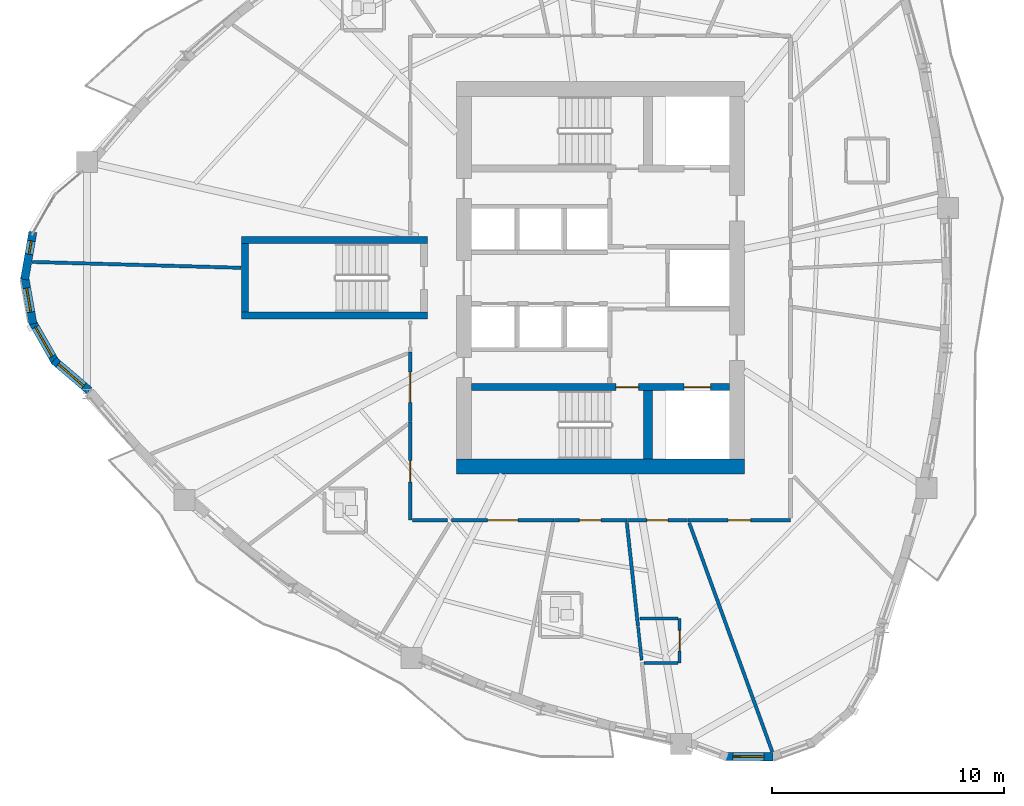
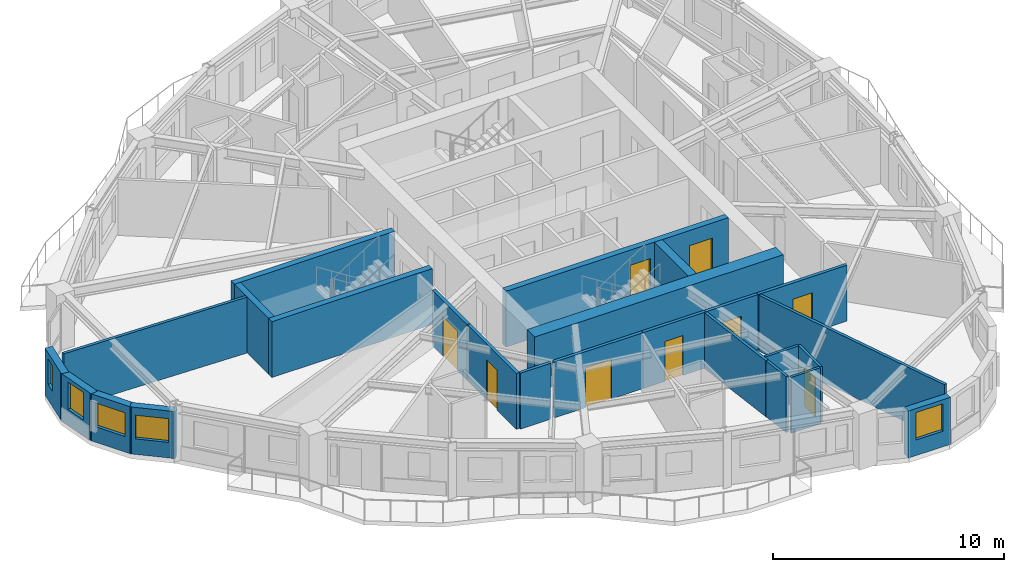
# One storey, part 5 of 14: 25 walls, 9 doors, 5 windows, 14 openings.
"""IFC4 building model written with IfcOpenShell, lengths in metres."""

from ifc_helpers import new_model, si_unit, direction, frame, frame_2d, origin, place, context, subcontext, project, spatial, rectangle, extrude, source, transform, mapped, material, layer, layer_set, type_object, element, fill, save


model = new_model("IFC4")

# Units and contexts
model_context = context("Model", 3, precision=1e-05, world=origin(), true_north=direction((0.0, 1.0)))
body_context = subcontext(model_context, "Body", "Model", "MODEL_VIEW")
ifc_project = project(units=[si_unit("LENGTHUNIT", "METRE"), si_unit("AREAUNIT", "SQUARE_METRE"), si_unit("VOLUMEUNIT", "CUBIC_METRE"), si_unit("PLANEANGLEUNIT", "RADIAN"), si_unit("MASSUNIT", "GRAM", prefix="KILO")], contexts=[model_context])

# Site, building, storey
site_placement = place(None, origin())
site = spatial("IfcSite", under=ifc_project, at=site_placement, CompositionType="ELEMENT")
building_placement = place(site_placement, origin())
building = spatial("IfcBuilding", under=site, at=building_placement, Name="Qafzar Sky-Pleat Residences", CompositionType="ELEMENT")
storey_placement = place(building_placement, frame((0.0, 0.0, 73.60009765625)))
storey = spatial("IfcBuildingStorey", under=building, at=storey_placement, Name="L21", CompositionType="ELEMENT", Elevation=73.60009765625)

# Wall, opening, door
ifc_material_1 = material(Name="Acoustic gypsum plasterboard partition", Category="gypsum")
ifc_layer_1 = layer(ifc_material_1, 0.159912109375)
ifc_layer_set_1 = layer_set([ifc_layer_1], Name="Acoustic gypsum plasterboard partition")
wall_type_1 = type_object("IfcWallType", Name="PART-COR-160", PredefinedType="PARTITIONING", material=ifc_layer_set_1)
wall_1_placement = place(storey_placement, frame((28.35888671875, 15.570068359375, 0.0), z_axis=(0.0, 0.0, 1.0), x_axis=(-1.0, 0.0, 0.0)))
wall_1 = element("IfcWall", 1, at=wall_1_placement, inside=storey, type_object=wall_type_1, Name="L21 Partition Wall PART-L21-PW-005", PredefinedType="PARTITIONING", context=body_context, shape_type="SweptSolid", body=[
    extrude(rectangle(XDim=4.423828125, YDim=0.159912109375, at=frame_2d((2.2119140625, 0.0))), origin(), (0.0, 0.0, 1.0), 2.949951171875),
])
opening_1_placement = place(wall_1_placement, frame((1.56103515625, 0.0, 0.0)))
opening_1 = element("IfcOpeningElement", 2, at=opening_1_placement, cuts=wall_1, Name="Opening ID-05", PredefinedType="OPENING", context=body_context, shape_type="SweptSolid", body=[
    extrude(rectangle(XDim=1.300048828125, YDim=2.10009765625, at=frame_2d((0.64990234375, 1.050048828125))), frame((0.0, 0.08984375, 0.0), z_axis=(0.0, -1.0, 0.0), x_axis=(1.0, 0.0, 0.0)), (0.0, 0.0, 1.0), 0.179931640625),
])
ifc_material_2 = material(Name="Timber-faced fire door", Category="wood")
door_type_1 = type_object("IfcDoorType", Name="DR-LNG-1300", OperationType="DOUBLE_DOOR_SINGLE_SWING", PredefinedType="DOOR", material=ifc_material_2)
shared_shape_1 = source(origin(), body_context, "Body", "SweptSolid", [
    extrude(rectangle(XDim=1.300048828125, YDim=2.10009765625, at=frame_2d((0.64990234375, 1.050048828125))), frame((0.0, 0.02490234375, 0.0), z_axis=(0.0, -1.0, 0.0), x_axis=(1.0, 0.0, 0.0)), (0.0, 0.0, 1.0), 0.050048828125),
])
door_1_placement = place(opening_1_placement, origin())
door_1 = element("IfcDoor", 3, at=door_1_placement, inside=storey, type_object=door_type_1, Name="L21 Communal Kitchen Door", OperationType="DOUBLE_DOOR_SINGLE_SWING", OverallHeight=2.10009765625, OverallWidth=1.300048828125, PredefinedType="DOOR", context=body_context, shape_type="MappedRepresentation", body=[
    mapped(shared_shape_1, transform((0.0, 0.0, 0.0), x_axis=(1.0, 0.0, 0.0), y_axis=(0.0, 1.0, 0.0), z_axis=(0.0, 0.0, 1.0), scale=1.0)),
])
fill(opening_1, door_1)

wall_2_placement = place(storey_placement, frame((38.530029296875, 15.570068359375, 0.0), z_axis=(0.0, 0.0, 1.0), x_axis=(-1.0, 0.0, 0.0)))
wall_2 = element("IfcWall", 4, at=wall_2_placement, inside=storey, type_object=wall_type_1, Name="L21 Partition Wall PART-L21-PW-006", PredefinedType="PARTITIONING", context=body_context, shape_type="SweptSolid", body=[
    extrude(rectangle(XDim=4.412109375, YDim=0.159912109375, at=frame_2d((2.2060546875, 0.0))), origin(), (0.0, 0.0, 1.0), 2.949951171875),
])
opening_2_placement = place(wall_2_placement, frame((1.718017578125, 0.0, 0.0)))
opening_2 = element("IfcOpeningElement", 5, at=opening_2_placement, cuts=wall_2, Name="Opening ID-06", PredefinedType="OPENING", context=body_context, shape_type="SweptSolid", body=[
    extrude(rectangle(XDim=0.9599609375, YDim=2.10009765625, at=frame_2d((0.47998046875, 1.050048828125))), frame((0.0, 0.08984375, 0.0), z_axis=(0.0, -1.0, 0.0), x_axis=(1.0, 0.0, 0.0)), (0.0, 0.0, 1.0), 0.179931640625),
])
door_type_2 = type_object("IfcDoorType", Name="DR-STD-960", OperationType="NOTDEFINED", PredefinedType="DOOR", material=ifc_material_2)
shared_shape_2 = source(origin(), body_context, "Body", "SweptSolid", [
    extrude(rectangle(XDim=0.9599609375, YDim=2.10009765625, at=frame_2d((0.47998046875, 1.050048828125))), frame((0.0, 0.02490234375, 0.0), z_axis=(0.0, -1.0, 0.0), x_axis=(1.0, 0.0, 0.0)), (0.0, 0.0, 1.0), 0.050048828125),
])
door_2_placement = place(opening_2_placement, origin())
door_2 = element("IfcDoor", 6, at=door_2_placement, inside=storey, type_object=door_type_2, Name="L21 Graduate Desk Workspace Door", OperationType="SINGLE_SWING_RIGHT", OverallHeight=2.10009765625, OverallWidth=0.9599609375, PredefinedType="DOOR", context=body_context, shape_type="MappedRepresentation", body=[
    mapped(shared_shape_2, transform((0.0, 0.0, 0.0), x_axis=(1.0, 0.0, 0.0), y_axis=(0.0, 1.0, 0.0), z_axis=(0.0, 0.0, 1.0), scale=1.0)),
])
fill(opening_2, door_2)

wall_3_placement = place(storey_placement, frame((22.169921875, 15.570068359375, 0.0), z_axis=(0.0, 0.0, 1.0), x_axis=(0.0, 1.0, 0.0)))
wall_3 = element("IfcWall", 7, at=wall_3_placement, inside=storey, type_object=wall_type_1, Name="L21 Partition Wall PART-L21-PW-007", PredefinedType="PARTITIONING", context=body_context, shape_type="SweptSolid", body=[
    extrude(rectangle(XDim=4.238037109375, YDim=0.159912109375, at=frame_2d((2.119140625, 0.0))), origin(), (0.0, 0.0, 1.0), 2.949951171875),
])
opening_3_placement = place(wall_3_placement, frame((1.6494140625, 0.0, 0.0)))
opening_3 = element("IfcOpeningElement", 8, at=opening_3_placement, cuts=wall_3, Name="Opening ID-04", PredefinedType="OPENING", context=body_context, shape_type="SweptSolid", body=[
    extrude(rectangle(XDim=0.919921875, YDim=2.10009765625, at=frame_2d((0.4599609375, 1.050048828125))), frame((0.0, 0.08984375, 0.0), z_axis=(0.0, -1.0, 0.0), x_axis=(1.0, 0.0, 0.0)), (0.0, 0.0, 1.0), 0.179931640625),
])
door_type_3 = type_object("IfcDoorType", Name="DR-BED-920", OperationType="NOTDEFINED", PredefinedType="DOOR", material=ifc_material_2)
shared_shape_3 = source(origin(), body_context, "Body", "SweptSolid", [
    extrude(rectangle(XDim=0.919921875, YDim=2.10009765625, at=frame_2d((0.4599609375, 1.050048828125))), frame((0.0, 0.02490234375, 0.0), z_axis=(0.0, -1.0, 0.0), x_axis=(1.0, 0.0, 0.0)), (0.0, 0.0, 1.0), 0.050048828125),
])
door_3_placement = place(opening_3_placement, origin())
door_3 = element("IfcDoor", 9, at=door_3_placement, inside=storey, type_object=door_type_3, Name="L21 Co-Living Bedroom 5 Door", OperationType="SINGLE_SWING_LEFT", OverallHeight=2.10009765625, OverallWidth=0.919921875, PredefinedType="DOOR", context=body_context, shape_type="MappedRepresentation", body=[
    mapped(shared_shape_3, transform((0.0, 0.0, 0.0), x_axis=(1.0, 0.0, 0.0), y_axis=(0.0, 1.0, 0.0), z_axis=(0.0, 0.0, 1.0), scale=1.0)),
])
fill(opening_3, door_3)

wall_4_placement = place(storey_placement, frame((31.491943359375, 15.570068359375, 0.0), z_axis=(0.0, 0.0, 1.0), x_axis=(-1.0, 0.0, 0.0)))
wall_4 = element("IfcWall", 10, at=wall_4_placement, inside=storey, type_object=wall_type_1, Name="L21 Partition Wall PART-L21-PW-010", PredefinedType="PARTITIONING", context=body_context, shape_type="SweptSolid", body=[
    extrude(rectangle(XDim=3.117919921875, YDim=0.159912109375, at=frame_2d((1.55908203125, 0.0))), origin(), (0.0, 0.0, 1.0), 2.949951171875),
])
opening_4_placement = place(wall_4_placement, frame((1.12158203125, 0.0, 0.0)))
opening_4 = element("IfcOpeningElement", 11, at=opening_4_placement, cuts=wall_4, Name="Opening ID-04", PredefinedType="OPENING", context=body_context, shape_type="SweptSolid", body=[
    extrude(rectangle(XDim=0.919921875, YDim=2.10009765625, at=frame_2d((0.4599609375, 1.050048828125))), frame((0.0, 0.08984375, 0.0), z_axis=(0.0, -1.0, 0.0), x_axis=(1.0, 0.0, 0.0)), (0.0, 0.0, 1.0), 0.179931640625),
])
door_4_placement = place(opening_4_placement, origin())
door_4 = element("IfcDoor", 12, at=door_4_placement, inside=storey, type_object=door_type_3, Name="L21 Co-Living Bedroom 6 Door", OperationType="SINGLE_SWING_RIGHT", OverallHeight=2.10009765625, OverallWidth=0.919921875, PredefinedType="DOOR", context=body_context, shape_type="MappedRepresentation", body=[
    mapped(shared_shape_3, transform((0.0, 0.0, 0.0), x_axis=(1.0, 0.0, 0.0), y_axis=(0.0, 1.0, 0.0), z_axis=(0.0, 0.0, 1.0), scale=1.0)),
])
fill(opening_4, door_4)

wall_5_placement = place(storey_placement, frame((22.169921875, 19.822998046875, 0.0), z_axis=(0.0, 0.0, 1.0), x_axis=(0.0, 1.0, 0.0)))
wall_5 = element("IfcWall", 13, at=wall_5_placement, inside=storey, type_object=wall_type_1, Name="L21 Partition Wall PART-L21-PW-012", PredefinedType="PARTITIONING", context=body_context, shape_type="SweptSolid", body=[
    extrude(rectangle(XDim=2.990966796875, YDim=0.159912109375, at=frame_2d((1.49560546875, 0.0))), origin(), (0.0, 0.0, 1.0), 2.949951171875),
])
opening_5_placement = place(wall_5_placement, frame((0.820556640625, 0.0, 0.0)))
opening_5 = element("IfcOpeningElement", 14, at=opening_5_placement, cuts=wall_5, Name="Opening ID-05", PredefinedType="OPENING", context=body_context, shape_type="SweptSolid", body=[
    extrude(rectangle(XDim=1.300048828125, YDim=2.10009765625, at=frame_2d((0.64990234375, 1.050048828125))), frame((0.0, 0.08984375, 0.0), z_axis=(0.0, -1.0, 0.0), x_axis=(1.0, 0.0, 0.0)), (0.0, 0.0, 1.0), 0.179931640625),
])
door_5_placement = place(opening_5_placement, origin())
door_5 = element("IfcDoor", 15, at=door_5_placement, inside=storey, type_object=door_type_1, Name="L21 Common Dining Room Door", OperationType="DOUBLE_DOOR_SINGLE_SWING", OverallHeight=2.10009765625, OverallWidth=1.300048828125, PredefinedType="DOOR", context=body_context, shape_type="MappedRepresentation", body=[
    mapped(shared_shape_1, transform((0.0, 0.0, 0.0), x_axis=(1.0, 0.0, 0.0), y_axis=(0.0, 1.0, 0.0), z_axis=(0.0, 0.0, 1.0), scale=1.0)),
])
fill(opening_5, door_5)

wall_6_placement = place(storey_placement, frame((34.10302734375, 15.570068359375, 0.0), z_axis=(0.0, 0.0, 1.0), x_axis=(-1.0, 0.0, 0.0)))
wall_6 = element("IfcWall", 16, at=wall_6_placement, inside=storey, type_object=wall_type_1, Name="L21 Partition Wall PART-L21-PW-013", PredefinedType="PARTITIONING", context=body_context, shape_type="SweptSolid", body=[
    extrude(rectangle(XDim=2.595947265625, YDim=0.159912109375, at=frame_2d((1.2978515625, 0.0))), origin(), (0.0, 0.0, 1.0), 2.949951171875),
])
opening_6_placement = place(wall_6_placement, frame((0.83740234375, 0.0, 0.0)))
opening_6 = element("IfcOpeningElement", 17, at=opening_6_placement, cuts=wall_6, Name="Opening ID-04", PredefinedType="OPENING", context=body_context, shape_type="SweptSolid", body=[
    extrude(rectangle(XDim=0.919921875, YDim=2.10009765625, at=frame_2d((0.4599609375, 1.050048828125))), frame((0.0, 0.08984375, 0.0), z_axis=(0.0, -1.0, 0.0), x_axis=(1.0, 0.0, 0.0)), (0.0, 0.0, 1.0), 0.179931640625),
])
door_6_placement = place(opening_6_placement, origin())
door_6 = element("IfcDoor", 18, at=door_6_placement, inside=storey, type_object=door_type_3, Name="L21 Co-Living Bedroom 7 Door", OperationType="SINGLE_SWING_LEFT", OverallHeight=2.10009765625, OverallWidth=0.919921875, PredefinedType="DOOR", context=body_context, shape_type="MappedRepresentation", body=[
    mapped(shared_shape_3, transform((0.0, 0.0, 0.0), x_axis=(1.0, 0.0, 0.0), y_axis=(0.0, 1.0, 0.0), z_axis=(0.0, 0.0, 1.0), scale=1.0)),
])
fill(opening_6, door_6)

# Walls
wall_7_placement = place(storey_placement, frame((22.258056640625, 15.570068359375, 0.0), z_axis=(0.0, 0.0, 1.0), x_axis=(1.0, 0.0, 0.0)))
element("IfcWall", 19, at=wall_7_placement, inside=storey, type_object=wall_type_1, Name="L21 Partition Wall PART-L21-PW-062", PredefinedType="PARTITIONING", context=body_context, shape_type="SweptSolid", body=[
    extrude(rectangle(XDim=1.519775390625, YDim=0.159912109375, at=frame_2d((0.759765625, 0.0))), origin(), (0.0, 0.0, 1.0), 2.949951171875),
])
ifc_layer_2 = layer(ifc_material_1, 0.14501953125)
ifc_layer_set_2 = layer_set([ifc_layer_2], Name="Acoustic gypsum plasterboard partition")
wall_type_2 = type_object("IfcWallType", Name="PART-UNIT-145", PredefinedType="PARTITIONING", material=ifc_layer_set_2)
wall_8_placement = place(storey_placement, frame((34.1748046875, 15.457763671875, 0.0), z_axis=(0.0, 0.0, 1.0), x_axis=(0.341079223998, -0.940034554129, 0.0)))
element("IfcWall", 20, at=wall_8_placement, inside=storey, type_object=wall_type_2, Name="L21 Partition Wall PART-L21-PW-026", PredefinedType="PARTITIONING", context=body_context, shape_type="SweptSolid", body=[
    extrude(rectangle(XDim=10.484130859375, YDim=0.14501953125, at=frame_2d((5.2421875, 0.0))), origin(), (0.0, 0.0, 1.0), 2.949951171875),
])
wall_9_placement = place(storey_placement, frame((5.8955078125, 26.688232421875, 0.0), z_axis=(0.0, 0.0, 1.0), x_axis=(0.999604843423, -0.028109731489, 0.0)))
element("IfcWall", 21, at=wall_9_placement, inside=storey, type_object=wall_type_2, Name="L21 Partition Wall PART-L21-PW-030", PredefinedType="PARTITIONING", context=body_context, shape_type="SweptSolid", body=[
    extrude(rectangle(XDim=8.998046875, YDim=0.14501953125, at=frame_2d((4.4990234375, 0.0))), origin(), (0.0, 0.0, 1.0), 2.949951171875),
])
wall_10_placement = place(storey_placement, frame((31.4873046875, 15.474365234375, 0.0), z_axis=(0.0, 0.0, 1.0), x_axis=(0.107366994444, -0.994219456913, 0.0)))
element("IfcWall", 22, at=wall_10_placement, inside=storey, type_object=wall_type_2, Name="L21 Partition Wall PART-L21-PW-042", PredefinedType="PARTITIONING", context=body_context, shape_type="SweptSolid", body=[
    extrude(rectangle(XDim=4.486328125, YDim=0.14501953125, at=frame_2d((2.2431640625, 0.0))), origin(), (0.0, 0.0, 1.0), 2.949951171875),
])

# Wall, opening, door
ifc_material_3 = material(Name="Moisture-resistant gypsum partition", Category="gypsum")
ifc_layer_3 = layer(ifc_material_3, 0.1298828125)
ifc_layer_set_3 = layer_set([ifc_layer_3], Name="Moisture-resistant gypsum partition")
wall_type_3 = type_object("IfcWallType", Name="PART-WET-130", PredefinedType="PARTITIONING", material=ifc_layer_set_3)
wall_11_placement = place(storey_placement, frame((33.760986328125, 9.43505859375, 0.0), z_axis=(0.0, 0.0, 1.0), x_axis=(0.0, 1.0, 0.0)))
wall_11 = element("IfcWall", 23, at=wall_11_placement, inside=storey, type_object=wall_type_3, Name="L21 Partition Wall PART-L21-PW-017", PredefinedType="PARTITIONING", context=body_context, shape_type="SweptSolid", body=[
    extrude(rectangle(XDim=1.89990234375, YDim=0.1298828125, at=frame_2d((0.949951171875, 0.0))), origin(), (0.0, 0.0, 1.0), 2.949951171875),
])
opening_7_placement = place(wall_11_placement, frame((0.510009765625, 0.0, 0.0)))
opening_7 = element("IfcOpeningElement", 24, at=opening_7_placement, cuts=wall_11, Name="Opening ID-07", PredefinedType="OPENING", context=body_context, shape_type="SweptSolid", body=[
    extrude(rectangle(XDim=0.8798828125, YDim=2.050048828125, at=frame_2d((0.43994140625, 1.02490234375))), frame((0.0, 0.074951171875, 0.0), z_axis=(0.0, -1.0, 0.0), x_axis=(1.0, 0.0, 0.0)), (0.0, 0.0, 1.0), 0.14990234375),
])
door_type_4 = type_object("IfcDoorType", Name="DR-WET-880", OperationType="NOTDEFINED", PredefinedType="DOOR", material=ifc_material_2)
shared_shape_4 = source(origin(), body_context, "Body", "SweptSolid", [
    extrude(rectangle(XDim=0.8798828125, YDim=2.050048828125, at=frame_2d((0.43994140625, 1.02490234375))), frame((0.0, 0.02490234375, 0.0), z_axis=(0.0, -1.0, 0.0), x_axis=(1.0, 0.0, 0.0)), (0.0, 0.0, 1.0), 0.050048828125),
])
door_7_placement = place(opening_7_placement, origin())
door_7 = element("IfcDoor", 25, at=door_7_placement, inside=storey, type_object=door_type_4, Name="L21 En-suite Bathroom 7 Door", OperationType="SINGLE_SWING_LEFT", OverallHeight=2.050048828125, OverallWidth=0.8798828125, PredefinedType="DOOR", context=body_context, shape_type="MappedRepresentation", body=[
    mapped(shared_shape_4, transform((0.0, 0.0, 0.0), x_axis=(1.0, 0.0, 0.0), y_axis=(0.0, 1.0, 0.0), z_axis=(0.0, 0.0, 1.0), scale=1.0)),
])
fill(opening_7, door_7)

# Walls
wall_12_placement = place(storey_placement, frame((32.048828125, 11.3349609375, 0.0), z_axis=(0.0, 0.0, 1.0), x_axis=(1.0, 0.0, 0.0)))
element("IfcWall", 26, at=wall_12_placement, inside=storey, type_object=wall_type_3, Name="L21 Partition Wall PART-L21-PW-051", PredefinedType="PARTITIONING", context=body_context, shape_type="SweptSolid", body=[
    extrude(rectangle(XDim=1.63916015625, YDim=0.1298828125, at=frame_2d((0.819580078125, 0.0))), origin(), (0.0, 0.0, 1.0), 2.949951171875),
])
wall_13_placement = place(storey_placement, frame((32.22802734375, 9.43505859375, 0.0), z_axis=(0.0, 0.0, 1.0), x_axis=(1.0, 0.0, 0.0)))
element("IfcWall", 27, at=wall_13_placement, inside=storey, type_object=wall_type_3, Name="L21 Partition Wall PART-L21-PW-063", PredefinedType="PARTITIONING", context=body_context, shape_type="SweptSolid", body=[
    extrude(rectangle(XDim=1.4599609375, YDim=0.1298828125, at=frame_2d((0.72998046875, 0.0))), origin(), (0.0, 0.0, 1.0), 2.949951171875),
])
wall_14_placement = place(storey_placement, frame((31.970703125, 10.9990234375, 0.0), z_axis=(0.0, 0.0, 1.0), x_axis=(0.107334680039, -0.994222946054, 0.0)))
element("IfcWall", 28, at=wall_14_placement, inside=storey, type_object=wall_type_3, Name="L21 Partition Wall PART-L21-PW-064", PredefinedType="PARTITIONING", context=body_context, shape_type="SweptSolid", body=[
    extrude(rectangle(XDim=1.462646484375, YDim=0.1298828125, at=frame_2d((0.7314453125, 0.0))), origin(), (0.0, 0.0, 1.0), 2.949951171875),
])

# Wall, opening, window
ifc_material_4 = material(Name="Precast concrete C40/50 with honed Riyadh limestone", Category="concrete")
ifc_layer_4 = layer(ifc_material_4, 0.35009765625)
ifc_layer_set_4 = layer_set([ifc_layer_4], Name="Precast concrete C40/50 with honed Riyadh limestone")
wall_type_4 = type_object("IfcWallType", Name="WALL-EXT-350", PredefinedType="SOLIDWALL", material=ifc_layer_set_4)
wall_15_placement = place(storey_placement, frame((5.923828125, 27.974609375, 0.0), z_axis=(0.0, 0.0, 1.0), x_axis=(-0.172166087538, -0.985067935881, 0.0)))
wall_15 = element("IfcWall", 29, at=wall_15_placement, inside=storey, type_object=wall_type_4, Name="L21 Limestone Facade Wall 3", PredefinedType="SOLIDWALL", context=body_context, shape_type="SweptSolid", body=[
    extrude(rectangle(XDim=2.0732421875, YDim=0.35009765625, at=frame_2d((1.03662109375, 0.0))), origin(), (0.0, 0.0, 1.0), 2.47998046875),
])
opening_8_placement = place(wall_15_placement, frame((0.387939453125, 0.0, 0.820068359375)))
opening_8 = element("IfcOpeningElement", 30, at=opening_8_placement, cuts=wall_15, Name="Opening WN-17", PredefinedType="OPENING", context=body_context, shape_type="SweptSolid", body=[
    extrude(rectangle(XDim=0.580078125, YDim=1.35009765625, at=frame_2d((0.2900390625, 0.675048828125))), frame((0.0, 0.18505859375, 0.0), z_axis=(0.0, -1.0, 0.0), x_axis=(1.0, 0.0, 0.0)), (0.0, 0.0, 1.0), 0.3701171875),
])
ifc_material_5 = material(Name="Solar-control low-E glass in bronze aluminium frame", Category="glass")
window_type_1 = type_object("IfcWindowType", Name="WIN-17", PartitioningType="SINGLE_PANEL", PredefinedType="WINDOW", material=ifc_material_5)
shared_shape_5 = source(origin(), body_context, "Body", "SweptSolid", [
    extrude(rectangle(XDim=0.580078125, YDim=1.35009765625, at=frame_2d((0.2900390625, 0.675048828125))), frame((0.0, 0.030029296875, 0.0), z_axis=(0.0, -1.0, 0.0), x_axis=(1.0, 0.0, 0.0)), (0.0, 0.0, 1.0), 0.06005859375),
])
window_1_placement = place(opening_8_placement, origin())
window_1 = element("IfcWindow", 31, at=window_1_placement, inside=storey, type_object=window_type_1, Name="L21 Punched Facade Window 03", OverallHeight=1.35009765625, OverallWidth=0.580078125, PartitioningType="SINGLE_PANEL", PredefinedType="WINDOW", context=body_context, shape_type="MappedRepresentation", body=[
    mapped(shared_shape_5, transform((0.0, 0.0, 0.0), x_axis=(1.0, 0.0, 0.0), y_axis=(0.0, 1.0, 0.0), z_axis=(0.0, 0.0, 1.0), scale=1.0)),
])
fill(opening_8, window_1)

wall_16_placement = place(storey_placement, frame((5.56689453125, 26.067626953125, 0.0), z_axis=(0.0, 0.0, 1.0), x_axis=(0.172166087538, -0.985067935881, 0.0)))
wall_16 = element("IfcWall", 32, at=wall_16_placement, inside=storey, type_object=wall_type_4, Name="L21 Limestone Facade Wall 4", PredefinedType="SOLIDWALL", context=body_context, shape_type="SweptSolid", body=[
    extrude(rectangle(XDim=2.0732421875, YDim=0.35009765625, at=frame_2d((1.03662109375, 0.0))), origin(), (0.0, 0.0, 1.0), 2.47998046875),
])
opening_9_placement = place(wall_16_placement, frame((0.511474609375, 0.0, 0.820068359375)))
opening_9 = element("IfcOpeningElement", 33, at=opening_9_placement, cuts=wall_16, Name="Opening WN-06", PredefinedType="OPENING", context=body_context, shape_type="SweptSolid", body=[
    extrude(rectangle(XDim=1.050048828125, YDim=1.449951171875, at=frame_2d((0.52490234375, 0.72509765625))), frame((0.0, 0.18505859375, 0.0), z_axis=(0.0, -1.0, 0.0), x_axis=(1.0, 0.0, 0.0)), (0.0, 0.0, 1.0), 0.3701171875),
])
window_type_2 = type_object("IfcWindowType", Name="WIN-06", PartitioningType="SINGLE_PANEL", PredefinedType="WINDOW", material=ifc_material_5)
shared_shape_6 = source(origin(), body_context, "Body", "SweptSolid", [
    extrude(rectangle(XDim=1.050048828125, YDim=1.449951171875, at=frame_2d((0.52490234375, 0.72509765625))), frame((0.0, 0.030029296875, 0.0), z_axis=(0.0, -1.0, 0.0), x_axis=(1.0, 0.0, 0.0)), (0.0, 0.0, 1.0), 0.06005859375),
])
window_2_placement = place(opening_9_placement, origin())
window_2 = element("IfcWindow", 34, at=window_2_placement, inside=storey, type_object=window_type_2, Name="L21 Punched Facade Window 04", OverallHeight=1.449951171875, OverallWidth=1.050048828125, PartitioningType="SINGLE_PANEL", PredefinedType="WINDOW", context=body_context, shape_type="MappedRepresentation", body=[
    mapped(shared_shape_6, transform((0.0, 0.0, 0.0), x_axis=(1.0, 0.0, 0.0), y_axis=(0.0, 1.0, 0.0), z_axis=(0.0, 0.0, 1.0), scale=1.0)),
])
fill(opening_9, window_2)

wall_17_placement = place(storey_placement, frame((5.878173828125, 24.152587890625, 0.0), z_axis=(0.0, 0.0, 1.0), x_axis=(0.496037473582, -0.868301114132, 0.0)))
wall_17 = element("IfcWall", 35, at=wall_17_placement, inside=storey, type_object=wall_type_4, Name="L21 Limestone Facade Wall 5", PredefinedType="SOLIDWALL", context=body_context, shape_type="SweptSolid", body=[
    extrude(rectangle(XDim=2.072998046875, YDim=0.35009765625, at=frame_2d((1.03662109375, 0.0))), origin(), (0.0, 0.0, 1.0), 2.47998046875),
])
opening_10_placement = place(wall_17_placement, frame((0.3115234375, 0.0, 0.820068359375)))
opening_10 = element("IfcOpeningElement", 36, at=opening_10_placement, cuts=wall_17, Name="Opening WN-15", PredefinedType="OPENING", context=body_context, shape_type="SweptSolid", body=[
    extrude(rectangle(XDim=1.449951171875, YDim=1.25, at=frame_2d((0.72509765625, 0.625))), frame((0.0, 0.18505859375, 0.0), z_axis=(0.0, -1.0, 0.0), x_axis=(1.0, 0.0, 0.0)), (0.0, 0.0, 1.0), 0.3701171875),
])
window_type_3 = type_object("IfcWindowType", Name="WIN-15", PartitioningType="SINGLE_PANEL", PredefinedType="WINDOW", material=ifc_material_5)
shared_shape_7 = source(origin(), body_context, "Body", "SweptSolid", [
    extrude(rectangle(XDim=1.449951171875, YDim=1.25, at=frame_2d((0.72509765625, 0.625))), frame((0.0, 0.030029296875, 0.0), z_axis=(0.0, -1.0, 0.0), x_axis=(1.0, 0.0, 0.0)), (0.0, 0.0, 1.0), 0.06005859375),
])
window_3_placement = place(opening_10_placement, origin())
window_3 = element("IfcWindow", 37, at=window_3_placement, inside=storey, type_object=window_type_3, Name="L21 Punched Facade Window 05", OverallHeight=1.25, OverallWidth=1.449951171875, PartitioningType="SINGLE_PANEL", PredefinedType="WINDOW", context=body_context, shape_type="MappedRepresentation", body=[
    mapped(shared_shape_7, transform((0.0, 0.0, 0.0), x_axis=(1.0, 0.0, 0.0), y_axis=(0.0, 1.0, 0.0), z_axis=(0.0, 0.0, 1.0), scale=1.0)),
])
fill(opening_10, window_3)

wall_18_placement = place(storey_placement, frame((6.8203125, 22.45654296875, 0.0), z_axis=(0.0, 0.0, 1.0), x_axis=(0.76114353683, -0.648583469063, 0.0)))
wall_18 = element("IfcWall", 38, at=wall_18_placement, inside=storey, type_object=wall_type_4, Name="L21 Limestone Facade Wall 6", PredefinedType="SOLIDWALL", context=body_context, shape_type="SweptSolid", body=[
    extrude(rectangle(XDim=2.014892578125, YDim=0.35009765625, at=frame_2d((1.00732421875, 0.0))), origin(), (0.0, 0.0, 1.0), 2.47998046875),
])
opening_11_placement = place(wall_18_placement, frame((0.25244140625, 0.0, 0.820068359375)))
opening_11 = element("IfcOpeningElement", 39, at=opening_11_placement, cuts=wall_18, Name="Opening WN-15", PredefinedType="OPENING", context=body_context, shape_type="SweptSolid", body=[
    extrude(rectangle(XDim=1.449951171875, YDim=1.25, at=frame_2d((0.72509765625, 0.625))), frame((0.0, 0.18505859375, 0.0), z_axis=(0.0, -1.0, 0.0), x_axis=(1.0, 0.0, 0.0)), (0.0, 0.0, 1.0), 0.3701171875),
])
window_4_placement = place(opening_11_placement, origin())
window_4 = element("IfcWindow", 40, at=window_4_placement, inside=storey, type_object=window_type_3, Name="L21 Punched Facade Window 06", OverallHeight=1.25, OverallWidth=1.449951171875, PartitioningType="SINGLE_PANEL", PredefinedType="WINDOW", context=body_context, shape_type="MappedRepresentation", body=[
    mapped(shared_shape_7, transform((0.0, 0.0, 0.0), x_axis=(1.0, 0.0, 0.0), y_axis=(0.0, 1.0, 0.0), z_axis=(0.0, 0.0, 1.0), scale=1.0)),
])
fill(opening_11, window_4)

wall_19_placement = place(storey_placement, frame((35.6728515625, 5.404296875, 0.0), z_axis=(0.0, 0.0, 1.0), x_axis=(0.999976451414, -0.006862697526, 0.0)))
wall_19 = element("IfcWall", 41, at=wall_19_placement, inside=storey, type_object=wall_type_4, Name="L21 Limestone Facade Wall 18", PredefinedType="SOLIDWALL", context=body_context, shape_type="SweptSolid", body=[
    extrude(rectangle(XDim=2.098876953125, YDim=0.35009765625, at=frame_2d((1.04931640625, 0.0))), origin(), (0.0, 0.0, 1.0), 2.47998046875),
])
opening_12_placement = place(wall_19_placement, frame((0.37451171875, 0.0, 0.820068359375)))
opening_12 = element("IfcOpeningElement", 42, at=opening_12_placement, cuts=wall_19, Name="Opening WN-04", PredefinedType="OPENING", context=body_context, shape_type="SweptSolid", body=[
    extrude(rectangle(XDim=1.35009765625, YDim=1.449951171875, at=frame_2d((0.675048828125, 0.72509765625))), frame((0.0, 0.18505859375, 0.0), z_axis=(0.0, -1.0, 0.0), x_axis=(1.0, 0.0, 0.0)), (0.0, 0.0, 1.0), 0.3701171875),
])
window_type_4 = type_object("IfcWindowType", Name="WIN-04", PartitioningType="SINGLE_PANEL", PredefinedType="WINDOW", material=ifc_material_5)
shared_shape_8 = source(origin(), body_context, "Body", "SweptSolid", [
    extrude(rectangle(XDim=1.35009765625, YDim=1.449951171875, at=frame_2d((0.675048828125, 0.72509765625))), frame((0.0, 0.030029296875, 0.0), z_axis=(0.0, -1.0, 0.0), x_axis=(1.0, 0.0, 0.0)), (0.0, 0.0, 1.0), 0.06005859375),
])
window_5_placement = place(opening_12_placement, origin())
window_5 = element("IfcWindow", 43, at=window_5_placement, inside=storey, type_object=window_type_4, Name="L21 Punched Facade Window 18", OverallHeight=1.449951171875, OverallWidth=1.35009765625, PartitioningType="SINGLE_PANEL", PredefinedType="WINDOW", context=body_context, shape_type="MappedRepresentation", body=[
    mapped(shared_shape_8, transform((0.0, 0.0, 0.0), x_axis=(1.0, 0.0, 0.0), y_axis=(0.0, 1.0, 0.0), z_axis=(0.0, 0.0, 1.0), scale=1.0)),
])
fill(opening_12, window_5)

# Wall, openings, doors
ifc_material_6 = material(Name="Concrete C60/75", Category="concrete")
ifc_layer_5 = layer(ifc_material_6, 0.300048828125)
ifc_layer_set_5 = layer_set([ifc_layer_5], Name="Concrete C60/75")
wall_type_5 = type_object("IfcWallType", Name="WALL-SHEAR-300", PredefinedType="SHEAR", material=ifc_layer_set_5)
wall_20_placement = place(storey_placement, frame((24.800048828125, 21.300048828125, 0.0), z_axis=(0.0, 0.0, 1.0), x_axis=(1.0, 0.0, 0.0)))
wall_20 = element("IfcWall", 44, at=wall_20_placement, inside=storey, type_object=wall_type_5, Name="L21 Stair ST1 and FF1 Shaft North Wall", PredefinedType="SHEAR", context=body_context, shape_type="SweptSolid", body=[
    extrude(rectangle(XDim=11.099853515625, YDim=0.300048828125, at=frame_2d((5.5498046875, 0.0))), origin(), (0.0, 0.0, 1.0), 2.949951171875),
])
opening_13_placement = place(wall_20_placement, frame((6.219970703125, 0.0, 0.0)))
opening_13 = element("IfcOpeningElement", 45, at=opening_13_placement, cuts=wall_20, Name="Opening ID-01", PredefinedType="OPENING", context=body_context, shape_type="SweptSolid", body=[
    extrude(rectangle(XDim=0.97998046875, YDim=2.14990234375, at=frame_2d((0.489990234375, 1.074951171875))), frame((0.0, 0.16015625, 0.0), z_axis=(0.0, -1.0, 0.0), x_axis=(1.0, 0.0, 0.0)), (0.0, 0.0, 1.0), 0.320068359375),
])
opening_14_placement = place(wall_20_placement, frame((9.14990234375, 0.0, 0.0)))
opening_14 = element("IfcOpeningElement", 46, at=opening_14_placement, cuts=wall_20, Name="Opening LD-02", PredefinedType="OPENING", context=body_context, shape_type="SweptSolid", body=[
    extrude(rectangle(XDim=1.14990234375, YDim=2.14990234375, at=frame_2d((0.574951171875, 1.074951171875))), frame((0.0, 0.16015625, 0.0), z_axis=(0.0, -1.0, 0.0), x_axis=(1.0, 0.0, 0.0)), (0.0, 0.0, 1.0), 0.320068359375),
])
door_type_5 = type_object("IfcDoorType", Name="DR-STAIR-980", OperationType="NOTDEFINED", PredefinedType="DOOR", material=ifc_material_2)
shared_shape_9 = source(origin(), body_context, "Body", "SweptSolid", [
    extrude(rectangle(XDim=0.97998046875, YDim=2.14990234375, at=frame_2d((0.489990234375, 1.074951171875))), frame((0.0, 0.02490234375, 0.0), z_axis=(0.0, -1.0, 0.0), x_axis=(1.0, 0.0, 0.0)), (0.0, 0.0, 1.0), 0.050048828125),
])
door_8_placement = place(opening_13_placement, origin())
door_8 = element("IfcDoor", 47, at=door_8_placement, inside=storey, type_object=door_type_5, Name="L21 Stair ST1 Fire Door", OperationType="SINGLE_SWING_LEFT", OverallHeight=2.14990234375, OverallWidth=0.97998046875, PredefinedType="DOOR", context=body_context, shape_type="MappedRepresentation", body=[
    mapped(shared_shape_9, transform((0.0, 0.0, 0.0), x_axis=(1.0, 0.0, 0.0), y_axis=(0.0, 1.0, 0.0), z_axis=(0.0, 0.0, 1.0), scale=1.0)),
])
fill(opening_13, door_8)
ifc_material_7 = material(Name="Stainless steel sliding landing door", Category="steel")
door_type_6 = type_object("IfcDoorType", Name="DR-LIFT-FF", OperationType="DOUBLE_DOOR_SLIDING", PredefinedType="DOOR", material=ifc_material_7)
shared_shape_10 = source(origin(), body_context, "Body", "SweptSolid", [
    extrude(rectangle(XDim=1.14990234375, YDim=2.14990234375, at=frame_2d((0.574951171875, 1.074951171875))), frame((0.0, 0.02490234375, 0.0), z_axis=(0.0, -1.0, 0.0), x_axis=(1.0, 0.0, 0.0)), (0.0, 0.0, 1.0), 0.050048828125),
])
door_9_placement = place(opening_14_placement, origin())
door_9 = element("IfcDoor", 48, at=door_9_placement, inside=storey, type_object=door_type_6, Name="L21 Firefighting Lift FF1 Landing Door", OperationType="DOUBLE_DOOR_SLIDING", OverallHeight=2.14990234375, OverallWidth=1.14990234375, PredefinedType="DOOR", context=body_context, shape_type="MappedRepresentation", body=[
    mapped(shared_shape_10, transform((0.0, 0.0, 0.0), x_axis=(1.0, 0.0, 0.0), y_axis=(0.0, 1.0, 0.0), z_axis=(0.0, 0.0, 1.0), scale=1.0)),
])
fill(opening_14, door_9)

# Walls
for number, where, z_axis, x_axis, name in (
    (49, (14.89990234375, 24.375, 0.0), (0.0, 0.0, 1.0), (1.0, 0.0, 0.0), "L21 ST3 wall S"),
    (50, (22.89990234375, 27.625, 0.0), (0.0, 0.0, 1.0), (-1.0, 0.0, 0.0), "L21 ST3 wall N"),
):
    element("IfcWall", number, at=place(storey_placement, frame(where, z_axis=z_axis, x_axis=x_axis)), inside=storey, type_object=wall_type_5, Name=name, PredefinedType="SHEAR", context=body_context, shape_type="SweptSolid", body=[
        extrude(rectangle(XDim=8.0, YDim=0.300048828125, at=frame_2d((4.0, 0.0))), origin(), (0.0, 0.0, 1.0), 2.949951171875),
    ])
wall_21_placement = place(storey_placement, frame((15.050048828125, 27.47509765625, 0.0), z_axis=(0.0, 0.0, 1.0), x_axis=(0.0, -1.0, 0.0)))
element("IfcWall", 51, at=wall_21_placement, inside=storey, type_object=wall_type_5, Name="L21 ST3 wall W", PredefinedType="SHEAR", context=body_context, shape_type="SweptSolid", body=[
    extrude(rectangle(XDim=2.9501953125, YDim=0.300048828125, at=frame_2d((1.47509765625, 0.0))), origin(), (0.0, 0.0, 1.0), 2.949951171875),
])
ifc_layer_6 = layer(ifc_material_6, 0.39990234375)
ifc_layer_set_6 = layer_set([ifc_layer_6], Name="Concrete C60/75")
wall_type_6 = type_object("IfcWallType", Name="WALL-SHEAR-400", PredefinedType="SHEAR", material=ifc_layer_set_6)
wall_22_placement = place(storey_placement, frame((32.39990234375, 18.199951171875, 0.0), z_axis=(0.0, 0.0, 1.0), x_axis=(0.0, 1.0, 0.0)))
element("IfcWall", 52, at=wall_22_placement, inside=storey, type_object=wall_type_6, Name="L21 Stair ST1 East Dividing Wall", PredefinedType="SHEAR", context=body_context, shape_type="SweptSolid", body=[
    extrude(rectangle(XDim=2.949951171875, YDim=0.39990234375, at=frame_2d((1.47509765625, 0.0))), origin(), (0.0, 0.0, 1.0), 2.949951171875),
])
ifc_layer_7 = layer(ifc_material_6, 0.64990234375)
ifc_layer_set_7 = layer_set([ifc_layer_7], Name="Concrete C60/75")
wall_type_7 = type_object("IfcWallType", Name="WALL-SHEAR-650", PredefinedType="SHEAR", material=ifc_layer_set_7)
wall_23_placement = place(storey_placement, frame((24.14990234375, 17.875, 0.0), z_axis=(0.0, 0.0, 1.0), x_axis=(1.0, 0.0, 0.0)))
element("IfcWall", 53, at=wall_23_placement, inside=storey, type_object=wall_type_7, Name="L21 CORE wall S", PredefinedType="SHEAR", context=body_context, shape_type="SweptSolid", body=[
    extrude(rectangle(XDim=12.400146484375, YDim=0.64990234375, at=frame_2d((6.2001953125, 0.0))), origin(), (0.0, 0.0, 1.0), 2.949951171875),
])

save(model, "model.ifc")
